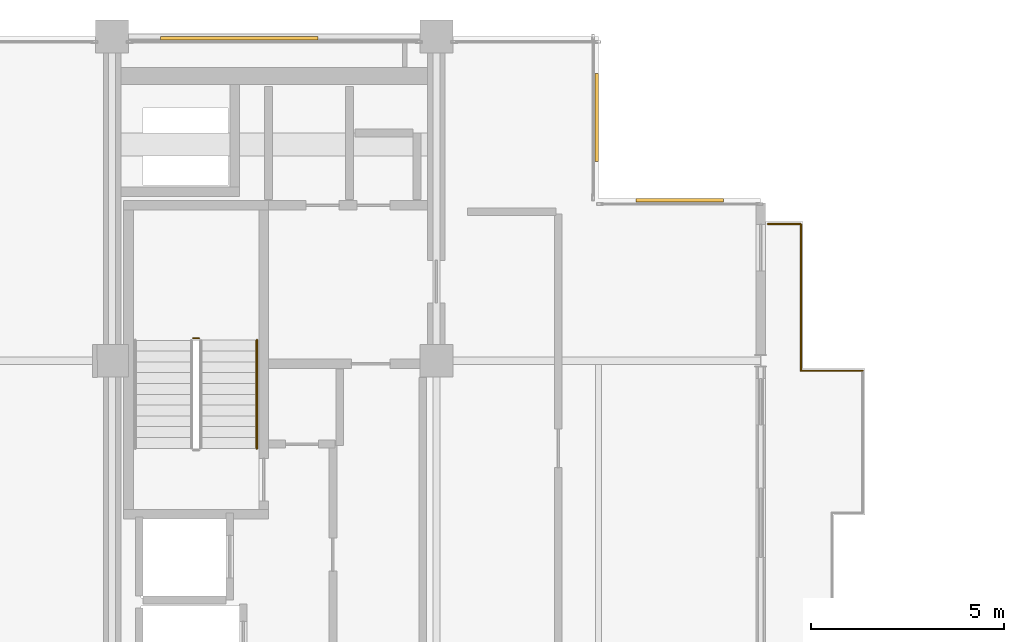
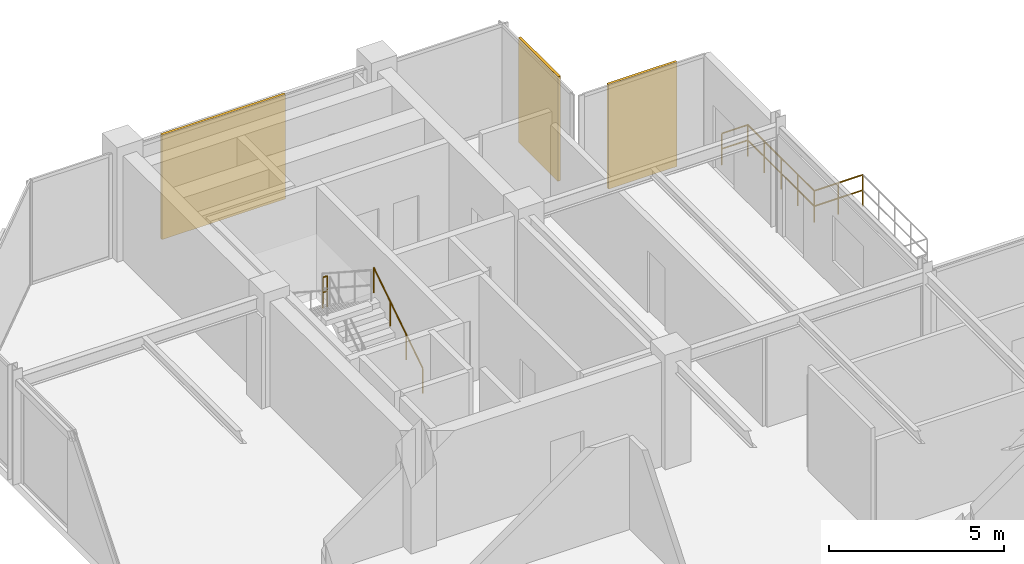
# One storey, part 26 of 26: 5 railings, 3 coverings.
"""IFC4 building model written with IfcOpenShell, lengths in metres."""

import ifcopenshell
import ifcopenshell.guid

model = None  # the IFC model being written
_history = None  # IfcOwnerHistory: only IFC2X3 demands one
_inside = {}  # id of a spatial element -> (the spatial element, [elements in it])
_under = {}  # id of a project, library or spatial element -> (it, [spatial elements below it])
_declared = {}  # id of a project -> (the project, [libraries it declares])
_typed = {}  # id of a type object -> (the type object, [elements of that type])
_made_of = {}  # id of a material, layer set ... -> (it, [elements and type objects made of it])


def new_model(schema):
    """Start an empty IFC model of exactly this schema.

    Asked for "IFC4X3", IfcOpenShell would pick the latest addendum, in which some entities
    have other attributes; the version numbers below select the first issue.
    IFC2X3 requires an IfcOwnerHistory on every rooted entity: one is made here for all.
    """
    global model, _history
    if schema == "IFC4X3":
        model = ifcopenshell.file(schema_version=(4, 3, 0, 0))
    else:
        model = ifcopenshell.file(schema=schema)
    _inside.clear()
    _under.clear()
    _declared.clear()
    _typed.clear()
    _made_of.clear()
    _history = None
    if model.schema == "IFC2X3":
        org = make("IfcOrganization", Name="unknown")
        user = make(
            "IfcPersonAndOrganization",
            ThePerson=make("IfcPerson", FamilyName="unknown"),
            TheOrganization=org,
        )
        app = make(
            "IfcApplication",
            ApplicationDeveloper=org,
            Version="unknown",
            ApplicationFullName="unknown",
            ApplicationIdentifier="unknown",
        )
        _history = make(
            "IfcOwnerHistory",
            OwningUser=user,
            OwningApplication=app,
            ChangeAction="ADDED",
            CreationDate=0,
        )
    return model


def make(cls, **values):
    """One entity of the class cls with the attributes given. An attribute that is None is left unset."""
    return model.create_entity(
        cls, **{name: value for name, value in values.items() if value is not None}
    )


def rooted(cls, **values):
    """An entity with a GlobalId (a new one), such as an element, a storey or a relation."""
    return make(cls, GlobalId=ifcopenshell.guid.new(), OwnerHistory=_history, **values)


def si_unit(unit_type, name, prefix=None):
    """IfcSIUnit, for example si_unit("LENGTHUNIT", "METRE", prefix="MILLI")."""
    return make("IfcSIUnit", UnitType=unit_type, Prefix=prefix, Name=name)


def assignment(units):
    """IfcUnitAssignment: the units of a project."""
    return None if units is None else make("IfcUnitAssignment", Units=units)


def point(xyz):
    """IfcCartesianPoint."""
    return None if xyz is None else make("IfcCartesianPoint", Coordinates=xyz)


def direction(xyz):
    """IfcDirection."""
    return None if xyz is None else make("IfcDirection", DirectionRatios=xyz)


def frame(location, z_axis=None, x_axis=None):
    """IfcAxis2Placement3D, a coordinate frame: its origin and axes. An axis left out is left unset."""
    return make(
        "IfcAxis2Placement3D",
        Location=point(location),
        Axis=direction(z_axis),
        RefDirection=direction(x_axis),
    )


def frame_2d(location, x_axis=None):
    """IfcAxis2Placement2D, a coordinate frame in the plane: its origin and x axis."""
    return make(
        "IfcAxis2Placement2D", Location=point(location), RefDirection=direction(x_axis)
    )


def origin():
    """The frame at (0, 0, 0) with its axes left unset."""
    return frame((0.0, 0.0, 0.0))


def origin_2d():
    """The frame at (0, 0) in the plane with its x axis left unset."""
    return frame_2d((0.0, 0.0))


def place(relative_to, where):
    """IfcLocalPlacement: puts the frame where relative to a parent placement (None: the world)."""
    return make(
        "IfcLocalPlacement", PlacementRelTo=relative_to, RelativePlacement=where
    )


def context(
    kind, dimensions, precision=None, world=None, true_north=None, identifier=None
):
    """IfcGeometricRepresentationContext, for example the 3D "Model" context."""
    return make(
        "IfcGeometricRepresentationContext",
        ContextIdentifier=identifier,
        ContextType=kind,
        CoordinateSpaceDimension=dimensions,
        Precision=precision,
        WorldCoordinateSystem=world,
        TrueNorth=true_north,
    )


def subcontext(parent, identifier, kind, view, scale=None):
    """IfcGeometricRepresentationSubContext, for example "Body" below "Model"."""
    return make(
        "IfcGeometricRepresentationSubContext",
        ContextIdentifier=identifier,
        ContextType=kind,
        ParentContext=parent,
        TargetScale=scale,
        TargetView=view,
    )


def project(units=None, contexts=None):
    """IfcProject with its units and contexts."""
    return rooted(
        "IfcProject",
        Name="project",
        RepresentationContexts=contexts,
        UnitsInContext=assignment(units),
    )


def spatial(cls, under=None, at=None, **own):
    """A site, building, storey or space (cls), placed at a placement, below another one or the project."""
    s = rooted(cls, ObjectPlacement=at, **own)
    if under is not None:
        _under.setdefault(under.id(), (under, []))[1].append(s)
    return s


def profile(cls, at=None, kind="AREA", **sizes):
    """A parametric profile (cls). Its sizes go by their IFC names, for example OverallWidth=200.0."""
    return make(cls, ProfileType=kind, Position=at, **sizes)


def rectangle(**sizes):
    """IfcRectangleProfileDef."""
    return profile("IfcRectangleProfileDef", **sizes)


def circle(**sizes):
    """IfcCircleProfileDef."""
    return profile("IfcCircleProfileDef", **sizes)


def extrude(swept, where, along, depth):
    """IfcExtrudedAreaSolid: the profile swept, set in the frame where, extruded along a direction by depth."""
    return make(
        "IfcExtrudedAreaSolid",
        SweptArea=swept,
        Position=where,
        ExtrudedDirection=direction(along),
        Depth=depth,
    )


def shape(context_of_items, identifier, shape_type, items):
    """IfcShapeRepresentation: the items that make up one representation, for example the "Body"."""
    return make(
        "IfcShapeRepresentation",
        ContextOfItems=context_of_items,
        RepresentationIdentifier=identifier,
        RepresentationType=shape_type,
        Items=items,
    )


def material(Name=None, Category=None):
    """IfcMaterial."""
    return make("IfcMaterial", Name=Name, Category=Category)


def layer(
    of_material, thickness, ventilated=None, Name=None, Category=None, Priority=None
):
    """IfcMaterialLayer: one layer of a wall or slab, of a material (None: an air gap)."""
    return make(
        "IfcMaterialLayer",
        Material=of_material,
        LayerThickness=thickness,
        IsVentilated=ventilated,
        Name=Name,
        Category=Category,
        Priority=Priority,
    )


def layer_set(layers, Name=None):
    """IfcMaterialLayerSet."""
    return make("IfcMaterialLayerSet", MaterialLayers=layers, LayerSetName=Name)


def made_of(thing, what):
    """Note that an element or type object is made of a material, layer set ...; save() writes the relation."""
    if what is not None:
        _made_of.setdefault(what.id(), (what, []))[1].append(thing)
    return thing


def type_object(cls, material=None, **own):
    """A type object (cls), such as IfcWallType, which elements share."""
    return made_of(rooted(cls, **own), material)


def element(
    cls,
    number,
    at=None,
    inside=None,
    cuts=None,
    type_object=None,
    material=None,
    context=None,
    identifier="Body",
    shape_type=None,
    held_by="IfcProductDefinitionShape",
    body=None,
    shapes=None,
    **own,
):
    """One element of the class cls, such as IfcWall. Its Tag is "e" and its number.

    at: its placement. inside: the storey or other place that contains it. cuts: it is an
    opening in that element (IfcRelVoidsElement). A single representation is given by context,
    identifier, shape_type and body (its items); several are given by shapes. held_by: the class
    of the entity that holds the representations. save() writes the other relations.
    """
    e = rooted(cls, Tag="e%d" % number, ObjectPlacement=at, **own)
    if body is not None:
        shapes = [shape(context, identifier, shape_type, body)]
    if shapes is not None:
        e.Representation = make(held_by, Representations=shapes)
    if inside is not None:
        _inside.setdefault(inside.id(), (inside, []))[1].append(e)
    if cuts is not None:
        rooted(
            "IfcRelVoidsElement", RelatingBuildingElement=cuts, RelatedOpeningElement=e
        )
    if type_object is not None:
        _typed.setdefault(type_object.id(), (type_object, []))[1].append(e)
    return made_of(e, material)


def aggregate(whole, parts):
    """IfcRelAggregates: a whole, such as a stair, and the parts it consists of."""
    return rooted("IfcRelAggregates", RelatingObject=whole, RelatedObjects=parts)


def save(model, path):
    """Write the relations noted so far, then the file.

    IfcRelAggregates (storeys below a building ...), IfcRelContainedInSpatialStructure (elements
    in a storey), IfcRelDefinesByType, IfcRelAssociatesMaterial and IfcRelDeclares: one each for
    every whole, place, type object, material and project.
    """
    for whole, parts in _under.values():
        aggregate(whole, parts)
    for where, things in _inside.values():
        rooted(
            "IfcRelContainedInSpatialStructure",
            RelatedElements=things,
            RelatingStructure=where,
        )
    for kind, things in _typed.values():
        rooted("IfcRelDefinesByType", RelatedObjects=things, RelatingType=kind)
    for what, things in _made_of.values():
        rooted("IfcRelAssociatesMaterial", RelatedObjects=things, RelatingMaterial=what)
    for by, libraries in _declared.values():
        rooted("IfcRelDeclares", RelatingContext=by, RelatedDefinitions=libraries)
    model.write(path)


model = new_model("IFC4")

# Units and contexts
model_context = context("Model", 3, precision=1e-05, world=origin(), true_north=direction((0.0, 1.0)))
body_context = subcontext(model_context, "Body", "Model", "MODEL_VIEW")
ifc_project = project(units=[si_unit("LENGTHUNIT", "METRE"), si_unit("AREAUNIT", "SQUARE_METRE"), si_unit("VOLUMEUNIT", "CUBIC_METRE"), si_unit("PLANEANGLEUNIT", "RADIAN"), si_unit("MASSUNIT", "GRAM", prefix="KILO")], contexts=[model_context])

# Site, building, storey
site_placement = place(None, origin())
site = spatial("IfcSite", under=ifc_project, at=site_placement, CompositionType="ELEMENT")
building_placement = place(site_placement, origin())
building = spatial("IfcBuilding", under=site, at=building_placement, Name="Nerrivon Quay Data Exchange", CompositionType="ELEMENT")
storey_placement = place(building_placement, frame((0.0, 0.0, 282.199951171875)))
storey = spatial("IfcBuildingStorey", under=building, at=storey_placement, Name="L67", CompositionType="ELEMENT", Elevation=282.199951171875)

# Coverings
ifc_material_1 = material(Name="Architectural terracotta ceramic", Category="masonry")
ifc_layer = layer(ifc_material_1, 0.090087890625)
ifc_layer_set = layer_set([ifc_layer], Name="Architectural terracotta ceramic")
covering_type = type_object("IfcCoveringType", Name="COV-SCR-TERR", PredefinedType="CLADDING", material=ifc_layer_set)
covering_placement = place(storey_placement, frame((11.694091796875, 41.955078125, 0.0), z_axis=(0.0, 0.0, 1.0), x_axis=(1.0, 0.0, 0.0)))
element("IfcCovering", 1, at=covering_placement, inside=storey, type_object=covering_type, Name="L67 Perforated Terracotta SOLAR SCREEN Cassette", PredefinedType="CLADDING", context=body_context, shape_type="SweptSolid", body=[
    extrude(rectangle(XDim=4.076904296875, YDim=0.090087890625, at=origin_2d()), origin(), (0.0, 0.0, 1.0), 3.64990234375),
])
for number, where, z_axis, x_axis, name in (
    (2, (20.955078125, 39.89990234375, 0.0), (0.0, 0.0, 1.0), (0.0, -1.0, 0.0), "L67 Perforated Terracotta SOLAR SCREEN Cassette"),
    (3, (23.10009765625, 37.7548828125, 0.0), (0.0, 0.0, 1.0), (1.0, 0.0, 0.0), "L67 Perforated Terracotta SOLAR SCREEN Cassette"),
):
    element("IfcCovering", number, at=place(storey_placement, frame(where, z_axis=z_axis, x_axis=x_axis)), inside=storey, type_object=covering_type, Name=name, PredefinedType="CLADDING", context=body_context, shape_type="SweptSolid", body=[
        extrude(rectangle(XDim=2.26806640625, YDim=0.090087890625, at=origin_2d()), origin(), (0.0, 0.0, 1.0), 3.64990234375),
    ])

# Railings
ifc_material_2 = material(Name="Steel Grade C350L0 (350 MPa)", Category="steel")
railing_type_1 = type_object("IfcRailingType", Name="RAIL-GUARD-GR2", PredefinedType="BALUSTRADE", material=ifc_material_2)
railing_1_placement = place(storey_placement, frame((25.3798828125, 37.139892578125, 0.0)))
element("IfcRailing", 4, at=railing_1_placement, inside=storey, type_object=railing_type_1, Name="L67 Verandah Balcony Guard 1.3 1", PredefinedType="BALUSTRADE", context=body_context, shape_type="SweptSolid", body=[
    extrude(circle(Radius=0.02392578125, at=origin_2d()), frame((0.0, 0.0, 1.09619140625), z_axis=(1.0, 0.0, 0.0), x_axis=(0.0, 1.0, 0.0)), (0.0, 0.0, 1.0), 0.860107421875),
    extrude(circle(Radius=0.02392578125, at=origin_2d()), frame((0.0, 0.0, 0.56005859375), z_axis=(1.0, 0.0, 0.0), x_axis=(0.0, 1.0, 0.0)), (0.0, 0.0, 1.0), 0.860107421875),
    extrude(circle(Radius=0.02099609375, at=origin_2d()), origin(), (0.0, 0.0, 1.0), 1.072021484375),
    extrude(circle(Radius=0.02099609375, at=origin_2d()), frame((0.860107421875, 0.0, 0.0)), (0.0, 0.0, 1.0), 1.072021484375),
])
railing_2_placement = place(storey_placement, frame((26.239990234375, 37.139892578125, 0.0)))
element("IfcRailing", 5, at=railing_2_placement, inside=storey, type_object=railing_type_1, Name="L67 Verandah Balcony Guard 1.4 1", PredefinedType="BALUSTRADE", context=body_context, shape_type="SweptSolid", body=[
    extrude(circle(Radius=0.02392578125, at=origin_2d()), frame((0.0, 0.0, 1.09619140625), z_axis=(0.0, -1.0, 0.0), x_axis=(1.0, 0.0, 0.0)), (0.0, 0.0, 1.0), 3.7998046875),
    extrude(circle(Radius=0.02392578125, at=origin_2d()), frame((0.0, 0.0, 0.56005859375), z_axis=(0.0, -1.0, 0.0), x_axis=(1.0, 0.0, 0.0)), (0.0, 0.0, 1.0), 3.7998046875),
    extrude(circle(Radius=0.02099609375, at=origin_2d()), origin(), (0.0, 0.0, 1.0), 1.072021484375),
    extrude(circle(Radius=0.02099609375, at=origin_2d()), frame((0.0, -0.949951171875, 0.0)), (0.0, 0.0, 1.0), 1.072021484375),
    extrude(circle(Radius=0.02099609375, at=origin_2d()), frame((0.0, -1.89990234375, 0.0)), (0.0, 0.0, 1.0), 1.072021484375),
    extrude(circle(Radius=0.02099609375, at=origin_2d()), frame((0.0, -2.849853515625, 0.0)), (0.0, 0.0, 1.0), 1.072021484375),
    extrude(circle(Radius=0.02099609375, at=origin_2d()), frame((0.0, -3.7998046875, 0.0)), (0.0, 0.0, 1.0), 1.072021484375),
])
railing_3_placement = place(storey_placement, frame((26.239990234375, 33.340087890625, 0.0)))
element("IfcRailing", 6, at=railing_3_placement, inside=storey, type_object=railing_type_1, Name="L67 Verandah Balcony Guard 1.5 1", PredefinedType="BALUSTRADE", context=body_context, shape_type="SweptSolid", body=[
    extrude(circle(Radius=0.02392578125, at=origin_2d()), frame((0.0, 0.0, 1.09619140625), z_axis=(1.0, 0.0, 0.0), x_axis=(0.0, 1.0, 0.0)), (0.0, 0.0, 1.0), 1.60009765625),
    extrude(circle(Radius=0.02392578125, at=origin_2d()), frame((0.0, 0.0, 0.56005859375), z_axis=(1.0, 0.0, 0.0), x_axis=(0.0, 1.0, 0.0)), (0.0, 0.0, 1.0), 1.60009765625),
    extrude(circle(Radius=0.02099609375, at=origin_2d()), origin(), (0.0, 0.0, 1.0), 1.072021484375),
    extrude(circle(Radius=0.02099609375, at=origin_2d()), frame((0.800048828125, 0.0, 0.0)), (0.0, 0.0, 1.0), 1.072021484375),
    extrude(circle(Radius=0.02099609375, at=origin_2d()), frame((1.60009765625, 0.0, 0.0)), (0.0, 0.0, 1.0), 1.072021484375),
])
railing_type_2 = type_object("IfcRailingType", Name="RAIL-HAND-HR1", PredefinedType="HANDRAIL", material=ifc_material_2)
railing_4_placement = place(storey_placement, frame((12.14990234375, 31.330078125, 0.181884765625)))
element("IfcRailing", 7, at=railing_4_placement, inside=storey, type_object=railing_type_2, Name="L67 ST01 stair handrail 1", PredefinedType="HANDRAIL", context=body_context, shape_type="SweptSolid", body=[
    extrude(circle(Radius=0.02392578125, at=origin_2d()), frame((0.0, 0.0, 0.8759765625), z_axis=(0.0, 0.83868413941, 0.544618136222), x_axis=(-1.0, 0.0, 0.0)), (0.0, 0.0, 1.0), 3.33837890625),
    extrude(circle(Radius=0.02099609375, at=origin_2d()), origin(), (0.0, 0.0, 1.0), 0.851806640625),
    extrude(circle(Radius=0.02099609375, at=origin_2d()), frame((0.0, 0.933349609375, 0.60595703125)), (0.0, 0.0, 1.0), 0.851806640625),
    extrude(circle(Radius=0.02099609375, at=origin_2d()), frame((0.0, 1.866455078125, 1.212158203125)), (0.0, 0.0, 1.0), 0.851806640625),
    extrude(circle(Radius=0.02099609375, at=origin_2d()), frame((0.0, 2.7998046875, 1.818115234375)), (0.0, 0.0, 1.0), 0.851806640625),
])
railing_type_3 = type_object("IfcRailingType", Name="RAIL-STAIR-GR1", PredefinedType="BALUSTRADE", material=ifc_material_2)
railing_5_placement = place(storey_placement, frame((10.64990234375, 34.179931640625, 2.0)))
element("IfcRailing", 8, at=railing_5_placement, inside=storey, type_object=railing_type_3, Name="L67 ST01 stair guard 2", PredefinedType="BALUSTRADE", context=body_context, shape_type="SweptSolid", body=[
    extrude(circle(Radius=0.02392578125, at=origin_2d()), frame((0.0, 0.0, 1.076171875), z_axis=(-1.0, 0.0, 0.0), x_axis=(0.0, -1.0, 0.0)), (0.0, 0.0, 1.0), 0.14990234375),
    extrude(circle(Radius=0.02392578125, at=origin_2d()), frame((0.0, 0.0, 0.550048828125), z_axis=(-1.0, 0.0, 0.0), x_axis=(0.0, -1.0, 0.0)), (0.0, 0.0, 1.0), 0.14990234375),
    extrude(circle(Radius=0.02099609375, at=origin_2d()), origin(), (0.0, 0.0, 1.0), 1.052001953125),
    extrude(circle(Radius=0.02099609375, at=origin_2d()), frame((-0.14990234375, 0.0, 0.0)), (0.0, 0.0, 1.0), 1.052001953125),
])

save(model, "model.ifc")
